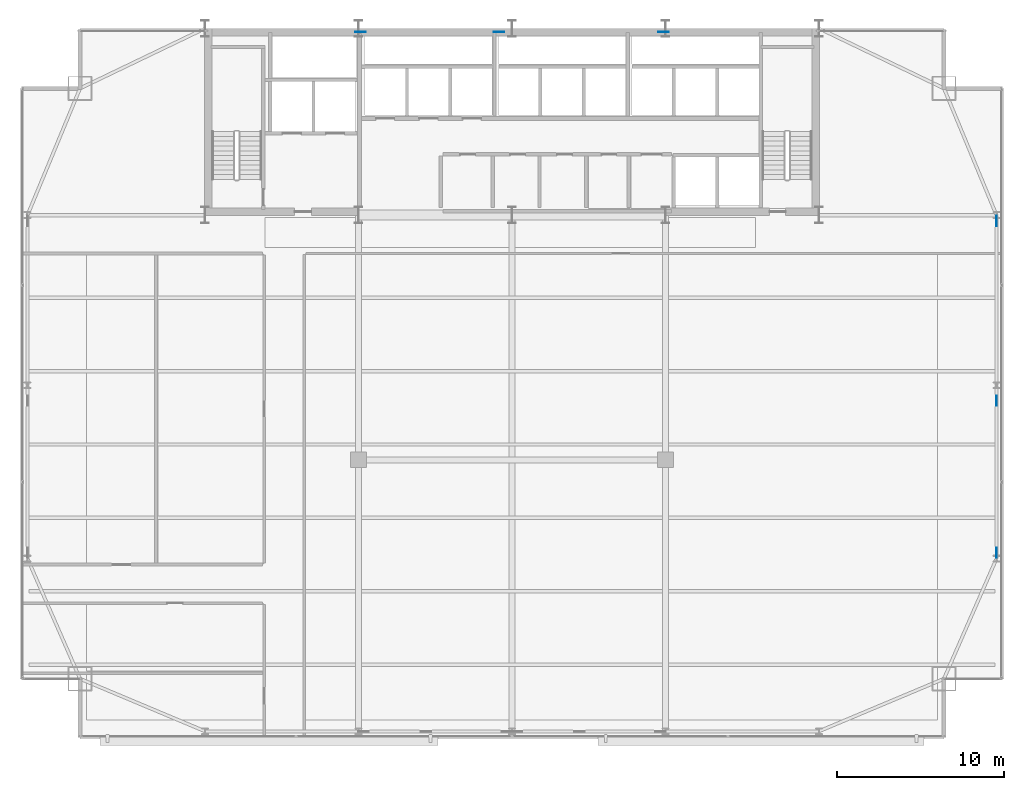
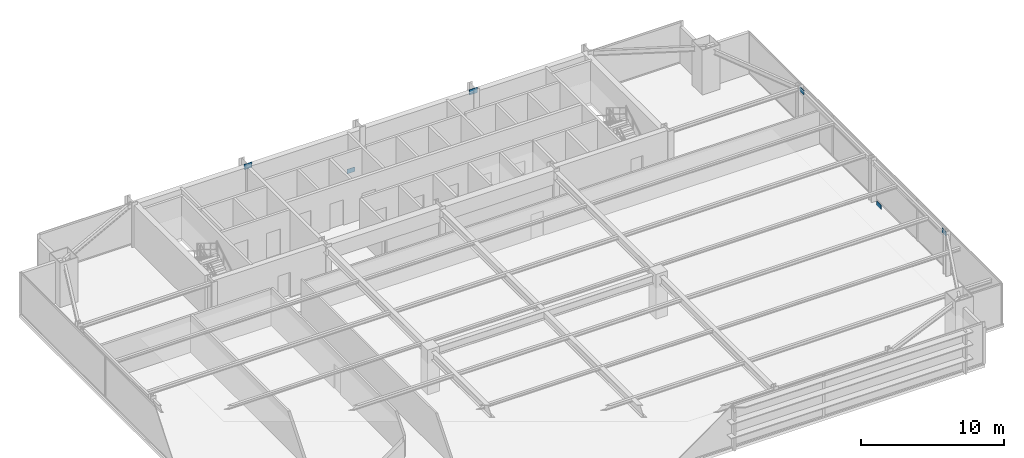
# One storey, part 28 of 32: 6 plates.
"""IFC4 building model written with IfcOpenShell, lengths in metres."""

from ifc_helpers import new_model, si_unit, direction, frame, origin, origin_2d, place, context, subcontext, project, spatial, rectangle, extrude, source, transform, mapped, material, layer, layer_set, type_object, type_shapes, element, save


model = new_model("IFC4")

# Units and contexts
model_context = context("Model", 3, precision=1e-05, world=origin(), true_north=direction((0.0, 1.0)))
body_context = subcontext(model_context, "Body", "Model", "MODEL_VIEW")
ifc_project = project(units=[si_unit("LENGTHUNIT", "METRE"), si_unit("AREAUNIT", "SQUARE_METRE"), si_unit("VOLUMEUNIT", "CUBIC_METRE"), si_unit("PLANEANGLEUNIT", "RADIAN"), si_unit("MASSUNIT", "GRAM", prefix="KILO")], contexts=[model_context])

# Site, building, storey
site_placement = place(None, origin())
site = spatial("IfcSite", under=ifc_project, at=site_placement, CompositionType="ELEMENT")
building_placement = place(site_placement, origin())
building = spatial("IfcBuilding", under=site, at=building_placement, Name="Varnel Quay Broadcast Tower", CompositionType="ELEMENT")
storey_placement = place(building_placement, frame((0.0, 0.0, 90.800048828125)))
storey = spatial("IfcBuildingStorey", under=building, at=storey_placement, Name="L21", CompositionType="ELEMENT", Elevation=90.800048828125)

# Plates
ifc_material = material(Name="Structural Steel CSA G40.21 350WT", Category="steel")
ifc_layer_1 = layer(ifc_material, 0.0400390625, Name="Structural Steel CSA G40.21 350WT")
ifc_layer_set_1 = layer_set([ifc_layer_1], Name="Structural Steel CSA G40.21 350WT")
plate_type_1 = type_object("IfcPlateType", Name="Plate_EmbedPlate", PredefinedType="USERDEFINED", material=ifc_layer_set_1)
shared_shape_1 = source(origin(), body_context, "Body", "SweptSolid", [
    extrude(rectangle(XDim=0.639892578125, YDim=0.0400390625, at=origin_2d()), origin(), (0.0, 0.0, 1.0), 0.449951171875),
])
type_shapes(plate_type_1, [shared_shape_1])
for number, where, z_axis, x_axis, name in (
    (1, (43.08837890625, 46.580078125, 3.2607421875), (0.0, 0.0, 1.0), (1.0, 0.0, 0.0), "Zone 2 Mega-Brace N-CT1 Diag A Wall Cast-In Embed Plate P1"),
    (2, (24.91162109375, 46.580078125, 3.2607421875), (0.0, 0.0, 1.0), (1.0, 0.0, 0.0), "Zone 2 Mega-Brace N-CT1 Diag B2 Wall Cast-In Embed Plate P1"),
):
    element("IfcPlate", number, at=place(storey_placement, frame(where, z_axis=z_axis, x_axis=x_axis)), inside=storey, type_object=plate_type_1, Name=name, ObjectType="EMBED_PLATE", PredefinedType="USERDEFINED", context=body_context, shape_type="MappedRepresentation", body=[
        mapped(shared_shape_1, transform((0.0, 0.0, 0.0), x_axis=(1.0, 0.0, 0.0), y_axis=(0.0, 1.0, 0.0), z_axis=(0.0, 0.0, 1.0), scale=1.0)),
    ])
ifc_layer_2 = layer(ifc_material, 0.031982421875, Name="Structural Steel CSA G40.21 350WT")
ifc_layer_set_2 = layer_set([ifc_layer_2], Name="Structural Steel CSA G40.21 350WT")
plate_type_2 = type_object("IfcPlateType", Name="Plate_EndCap", PredefinedType="USERDEFINED", material=ifc_layer_set_2)
shared_shape_2 = source(origin(), body_context, "Body", "SweptSolid", [
    extrude(rectangle(XDim=0.6201171875, YDim=0.031982421875, at=origin_2d()), origin(), (0.0, 0.0, 1.0), 0.3798828125),
])
type_shapes(plate_type_2, [shared_shape_2])
for number, where, z_axis, x_axis, name in (
    (3, (33.21728515625, 46.580078125, -0.00390625), (0.0, 0.0, 1.0), (1.0, 0.0, 0.0), "Zone 2 Mega-Brace N-CT1 Diag B2 End Connection Plate P0"),
    (4, (63.050048828125, 35.241943359375, 3.212890625), (0.0, 0.0, 1.0), (0.0, 1.0, 0.0), "Zone 2 Mega-Brace E-FT1 Diag A End Connection Plate P1"),
    (5, (63.050048828125, 24.4697265625, -0.0205078125), (0.0, 0.0, 1.0), (0.0, 1.0, 0.0), "Zone 2 Mega-Brace E-FT1 Diag B2 End Connection Plate P0"),
    (6, (63.050048828125, 15.358154296875, 3.212890625), (0.0, 0.0, 1.0), (0.0, 1.0, 0.0), "Zone 2 Mega-Brace E-FT1 Diag B2 End Connection Plate P1"),
):
    element("IfcPlate", number, at=place(storey_placement, frame(where, z_axis=z_axis, x_axis=x_axis)), inside=storey, type_object=plate_type_2, Name=name, ObjectType="CAP_PLATE", PredefinedType="USERDEFINED", context=body_context, shape_type="MappedRepresentation", body=[
        mapped(shared_shape_2, transform((0.0, 0.0, 0.0), x_axis=(1.0, 0.0, 0.0), y_axis=(0.0, 1.0, 0.0), z_axis=(0.0, 0.0, 1.0), scale=1.0)),
    ])

save(model, "model.ifc")
